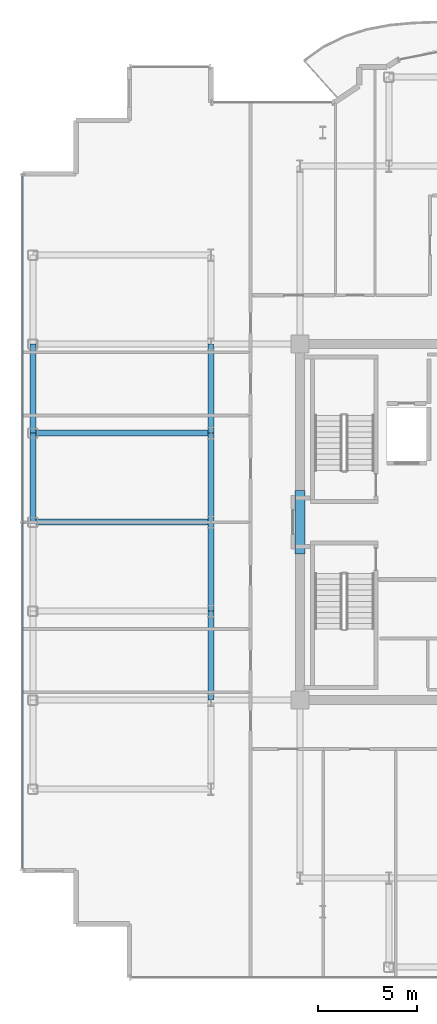
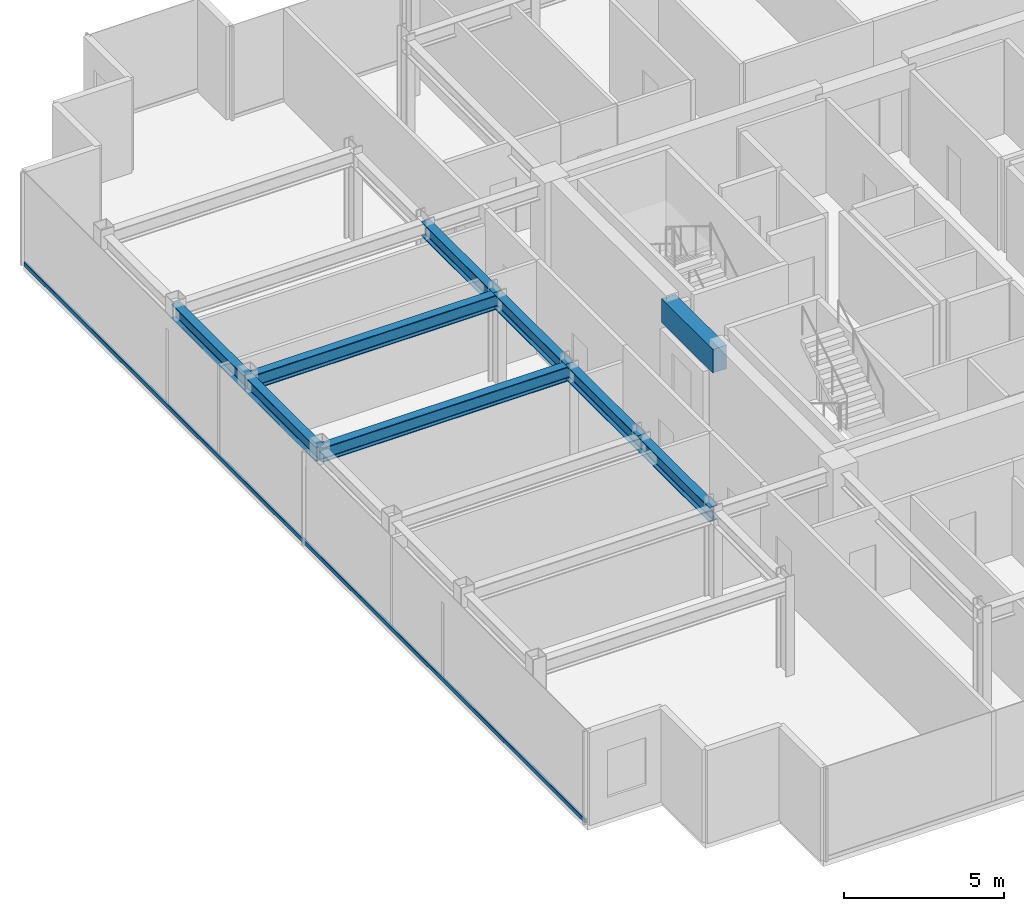
# One storey, part 5 of 18: 9 beams, 1 member, 1 element without a shape of its own.
"""IFC4 building model written with IfcOpenShell, lengths in metres."""

from ifc_helpers import new_model, si_unit, direction, frame, origin, origin_2d, place, context, subcontext, project, spatial, rectangle, hollow_rectangle, i_section, extrude, source, transform, mapped, material, layer, layer_set, material_profile, profile_set, type_object, element, aggregate, save


model = new_model("IFC4")

# Units and contexts
model_context = context("Model", 3, precision=1e-05, world=origin(), true_north=direction((0.0, 1.0)))
body_context = subcontext(model_context, "Body", "Model", "MODEL_VIEW")
ifc_project = project(units=[si_unit("LENGTHUNIT", "METRE"), si_unit("AREAUNIT", "SQUARE_METRE"), si_unit("VOLUMEUNIT", "CUBIC_METRE"), si_unit("PLANEANGLEUNIT", "RADIAN"), si_unit("MASSUNIT", "GRAM", prefix="KILO")], contexts=[model_context])

# Site, building, storey
site_placement = place(None, origin())
site = spatial("IfcSite", under=ifc_project, at=site_placement, CompositionType="ELEMENT")
building_placement = place(site_placement, origin())
building = spatial("IfcBuilding", under=site, at=building_placement, Name="Nefas-Gora Pilgrimage Tower", CompositionType="ELEMENT")
storey_placement = place(building_placement, frame((0.0, 0.0, 306.39990234375)))
storey = spatial("IfcBuildingStorey", under=building, at=storey_placement, Name="L77", CompositionType="ELEMENT", Elevation=306.39990234375)

# Beams
ifc_material_1 = material(Name="Concrete C50/60", Category="concrete")
ifc_material_profile_1 = material_profile(ifc_material_1, rectangle(XDim=0.5, YDim=0.89990234375, at=origin_2d()), Name="RC 500x900")
ifc_profile_set_1 = profile_set([ifc_material_profile_1], Name="Concrete C50/60")
beam_type_1 = type_object("IfcBeamType", Name="BM-LIN-RC900", PredefinedType="LINTEL", material=ifc_profile_set_1)
shared_shape_1 = source(origin(), body_context, "Body", "SweptSolid", [
    extrude(rectangle(XDim=0.5, YDim=0.89990234375, at=origin_2d()), origin(), (0.0, 0.0, 1.0), 3.2001953125),
])
beam_placement = place(storey_placement, frame((-11.25, -1.60009765625, 3.10009765625), z_axis=(0.0, 1.0, 0.0), x_axis=(-1.0, 0.0, 0.0)))
element("IfcBeam", 1, at=beam_placement, inside=storey, type_object=beam_type_1, Name="L77 Core Coupling Lintel Beam W", PredefinedType="LINTEL", context=body_context, shape_type="MappedRepresentation", body=[
    mapped(shared_shape_1, transform((0.0, 0.0, 0.0), x_axis=(1.0, 0.0, 0.0), y_axis=(0.0, 1.0, 0.0), z_axis=(0.0, 0.0, 1.0), scale=1.0)),
])
ifc_material_2 = material(Name="Steel S355", Category="steel")
ifc_material_profile_2 = material_profile(ifc_material_2, i_section(OverallWidth=0.300048828125, OverallDepth=0.550048828125, WebThickness=0.014892578125, FlangeThickness=0.029052734375, FilletRadius=0.027099609375, at=origin_2d()), Name="HEB 550")
ifc_profile_set_2 = profile_set([ifc_material_profile_2], Name="Steel S355")
beam_type_2 = type_object("IfcBeamType", Name="BM-SPN-HEB400", PredefinedType="SPANDREL", material=ifc_profile_set_2)
shared_shape_2 = source(origin(), body_context, "Body", "SweptSolid", [
    extrude(i_section(OverallWidth=0.300048828125, OverallDepth=0.550048828125, WebThickness=0.014892578125, FlangeThickness=0.029052734375, FilletRadius=0.027099609375, at=origin_2d()), origin(), (0.0, 0.0, 1.0), 4.5),
])
for number, where, z_axis, x_axis, name in (
    (2, (-24.75, 0.0, 3.275146484375), (0.0, 1.0, 0.0), (-1.0, 0.0, 0.0), "L77 SP-04 beam"),
    (3, (-24.75, 4.5, 3.275146484375), (0.0, 1.0, 0.0), (-1.0, 0.0, 0.0), "L77 SP-04 beam"),
):
    element("IfcBeam", number, at=place(storey_placement, frame(where, z_axis=z_axis, x_axis=x_axis)), inside=storey, type_object=beam_type_2, Name=name, PredefinedType="SPANDREL", context=body_context, shape_type="MappedRepresentation", body=[
        mapped(shared_shape_2, transform((0.0, 0.0, 0.0), x_axis=(1.0, 0.0, 0.0), y_axis=(0.0, 1.0, 0.0), z_axis=(0.0, 0.0, 1.0), scale=1.0)),
    ])
ifc_material_profile_3 = material_profile(ifc_material_2, i_section(OverallWidth=0.300048828125, OverallDepth=0.550048828125, WebThickness=0.014892578125, FlangeThickness=0.029052734375, FilletRadius=0.027099609375, at=origin_2d()), Name="HEB 550")
ifc_profile_set_3 = profile_set([ifc_material_profile_3], Name="Steel S355")
beam_type_3 = type_object("IfcBeamType", Name="BM-GIR-HEB550", PredefinedType="BEAM", material=ifc_profile_set_3)
shared_shape_3 = source(origin(), body_context, "Body", "SweptSolid", [
    extrude(i_section(OverallWidth=0.300048828125, OverallDepth=0.550048828125, WebThickness=0.014892578125, FlangeThickness=0.029052734375, FilletRadius=0.027099609375, at=origin_2d()), origin(), (0.0, 0.0, 1.0), 9.0),
])
for number, where, z_axis, x_axis, name in (
    (4, (-24.75, 0.0, 3.275146484375), (1.0, 0.0, 0.0), (0.0, 1.0, 0.0), "L77 G-05 beam"),
    (5, (-24.75, 4.5, 3.275146484375), (1.0, 0.0, 0.0), (0.0, 1.0, 0.0), "L77 G-05 beam"),
):
    element("IfcBeam", number, at=place(storey_placement, frame(where, z_axis=z_axis, x_axis=x_axis)), inside=storey, type_object=beam_type_3, Name=name, PredefinedType="BEAM", context=body_context, shape_type="MappedRepresentation", body=[
        mapped(shared_shape_3, transform((0.0, 0.0, 0.0), x_axis=(1.0, 0.0, 0.0), y_axis=(0.0, 1.0, 0.0), z_axis=(0.0, 0.0, 1.0), scale=1.0)),
    ])
shared_shape_4 = source(origin(), body_context, "Body", "SweptSolid", [
    extrude(i_section(OverallWidth=0.300048828125, OverallDepth=0.550048828125, WebThickness=0.014892578125, FlangeThickness=0.029052734375, FilletRadius=0.027099609375, at=origin_2d()), origin(), (0.0, 0.0, 1.0), 4.5),
])
for number, where, z_axis, x_axis, name in (
    (6, (-15.75, -9.0, 3.275146484375), (0.0, 1.0, 0.0), (-1.0, 0.0, 0.0), "L77 G-05 beam"),
    (7, (-15.75, -4.5, 3.275146484375), (0.0, 1.0, 0.0), (-1.0, 0.0, 0.0), "L77 G-05 beam"),
    (8, (-15.75, 0.0, 3.275146484375), (0.0, 1.0, 0.0), (-1.0, 0.0, 0.0), "L77 G-05 beam"),
    (9, (-15.75, 4.5, 3.275146484375), (0.0, 1.0, 0.0), (-1.0, 0.0, 0.0), "L77 G-05 beam"),
):
    element("IfcBeam", number, at=place(storey_placement, frame(where, z_axis=z_axis, x_axis=x_axis)), inside=storey, type_object=beam_type_3, Name=name, PredefinedType="BEAM", context=body_context, shape_type="MappedRepresentation", body=[
        mapped(shared_shape_4, transform((0.0, 0.0, 0.0), x_axis=(1.0, 0.0, 0.0), y_axis=(0.0, 1.0, 0.0), z_axis=(0.0, 0.0, 1.0), scale=1.0)),
    ])

# Curtain wall, member
ifc_material_3 = material(Name="Dark ceramic-fritted solar-control aluminium-glass curtain wall", Category="aluminium")
ifc_layer = layer(ifc_material_3, 0.219970703125)
ifc_layer_set = layer_set([ifc_layer], Name="Dark ceramic-fritted solar-control aluminium-glass curtain wall")
curtain_wall_type = type_object("IfcCurtainWallType", Name="CW-SYS-4", PredefinedType="NOTDEFINED", material=ifc_layer_set)
curtain_wall_placement = place(storey_placement, origin())
curtain_wall = element("IfcCurtainWall", 10, at=curtain_wall_placement, inside=storey, type_object=curtain_wall_type, Name="L77 Unitised Curtain Wall CW4", PredefinedType="NOTDEFINED")
ifc_material_4 = material(Name="Anodised architectural aluminium", Category="aluminium")
ifc_material_profile_4 = material_profile(ifc_material_4, hollow_rectangle(XDim=0.080078125, YDim=0.159912109375, WallThickness=0.00439453125, InnerFilletRadius=0.00439453125, OuterFilletRadius=0.009033203125, at=origin_2d()), Name="ALU TRANSOM 80x160")
ifc_profile_set_4 = profile_set([ifc_material_profile_4], Name="Anodised architectural aluminium")
member_type = type_object("IfcMemberType", Name="CWM-TRN-4", PredefinedType="USERDEFINED", material=ifc_profile_set_4)
shared_shape_5 = source(origin(), body_context, "Body", "SweptSolid", [
    extrude(hollow_rectangle(XDim=0.080078125, YDim=0.159912109375, WallThickness=0.00439453125, InnerFilletRadius=0.00439453125, OuterFilletRadius=0.009033203125, at=origin_2d()), origin(), (0.0, 0.0, 1.0), 35.06005859375),
])
member_placement = place(storey_placement, frame((-25.27001953125, 17.530029296875, 0.050048828125), z_axis=(0.0, -1.0, 0.0), x_axis=(1.0, 0.0, 0.0)))
member = element("IfcMember", 11, at=member_placement, type_object=member_type, Name="CW4 Spandrel Transom", ObjectType="TRANSOM", PredefinedType="USERDEFINED", context=body_context, shape_type="MappedRepresentation", body=[
    mapped(shared_shape_5, transform((0.0, 0.0, 0.0), x_axis=(1.0, 0.0, 0.0), y_axis=(0.0, 1.0, 0.0), z_axis=(0.0, 0.0, 1.0), scale=1.0)),
])
aggregate(curtain_wall, [member])

save(model, "model.ifc")
